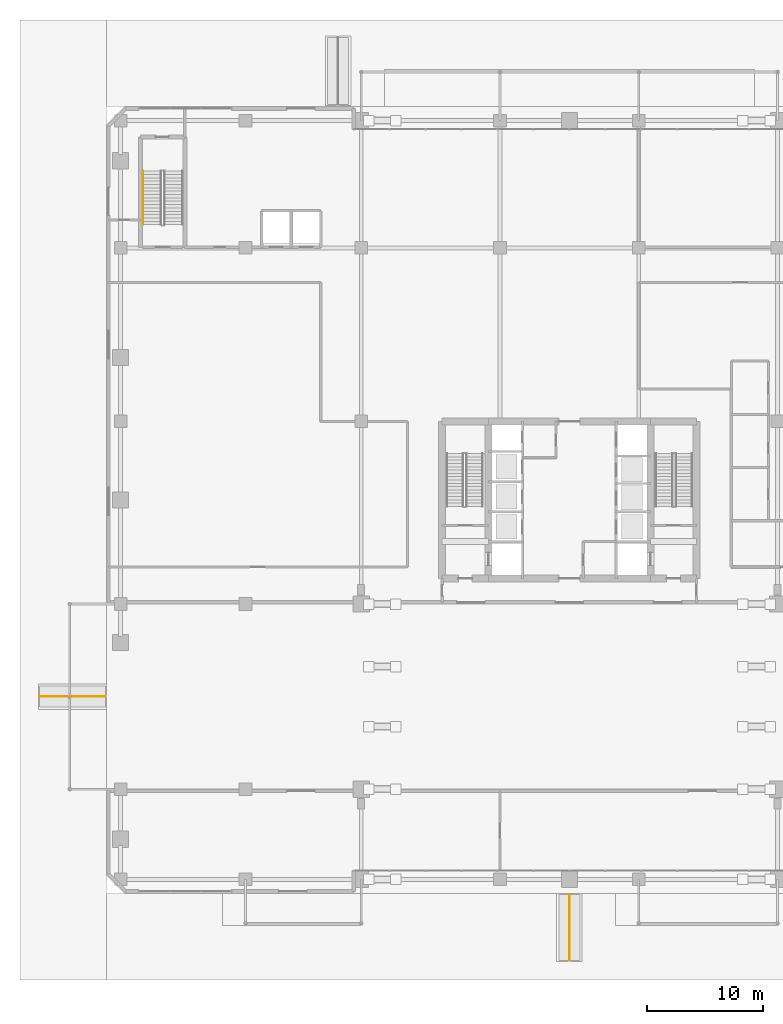
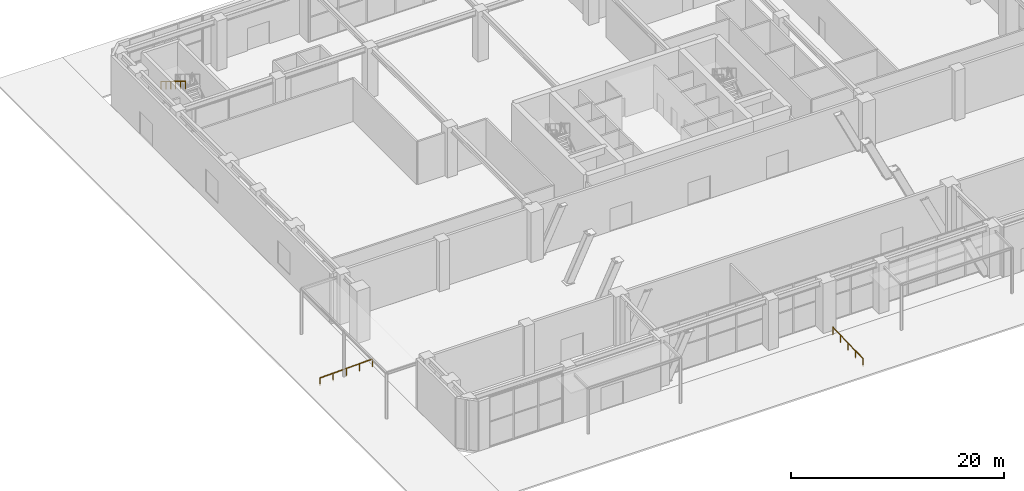
# One storey, part 42 of 49: 3 railings.
"""IFC4 building model written with IfcOpenShell, lengths in metres."""

from ifc_helpers import new_model, si_unit, direction, frame, origin, origin_2d, place, context, subcontext, project, spatial, rectangle, extrude, material, type_object, element, save


model = new_model("IFC4")

# Units and contexts
model_context = context("Model", 3, precision=1e-05, world=origin(), true_north=direction((0.0, 1.0)))
body_context = subcontext(model_context, "Body", "Model", "MODEL_VIEW")
ifc_project = project(units=[si_unit("LENGTHUNIT", "METRE"), si_unit("AREAUNIT", "SQUARE_METRE"), si_unit("VOLUMEUNIT", "CUBIC_METRE"), si_unit("PLANEANGLEUNIT", "RADIAN"), si_unit("MASSUNIT", "GRAM", prefix="KILO")], contexts=[model_context])

# Site, building, storey
site_placement = place(None, origin())
site = spatial("IfcSite", under=ifc_project, at=site_placement, CompositionType="ELEMENT")
building_placement = place(site_placement, origin())
building = spatial("IfcBuilding", under=site, at=building_placement, Name="Sarneth Arch Tower", CompositionType="ELEMENT")
storey_placement = place(building_placement, origin())
storey = spatial("IfcBuildingStorey", under=building, at=storey_placement, Name="L00", CompositionType="ELEMENT", Elevation=0.0)

# Railings
ifc_material = material(Name="Brushed Stainless Steel 304 tubular handrail", Category="steel")
railing_type = type_object("IfcRailingType", Name="RAIL-HANDRAIL-900", PredefinedType="HANDRAIL", material=ifc_material)
railing_1_placement = place(storey_placement, frame((11.14990234375, 70.43994140625, 3.176513671875)))
element("IfcRailing", 1, at=railing_1_placement, inside=storey, type_object=railing_type, Name="L00 ST-P1 stair handrail 2", PredefinedType="HANDRAIL", context=body_context, shape_type="SweptSolid", body=[
    extrude(rectangle(XDim=0.048095703125, YDim=0.048095703125, at=origin_2d()), frame((0.0, 0.0, 0.8759765625), z_axis=(0.0, -0.854263648073, 0.51983999421), x_axis=(1.0, 0.0, 0.0)), (0.0, 0.0, 1.0), 5.431396484375),
    extrude(rectangle(XDim=0.0419921875, YDim=0.0419921875, at=origin_2d()), origin(), (0.0, 0.0, 1.0), 0.851806640625),
    extrude(rectangle(XDim=0.0419921875, YDim=0.0419921875, at=origin_2d()), frame((0.0, -0.927978515625, 0.564697265625)), (0.0, 0.0, 1.0), 0.851806640625),
    extrude(rectangle(XDim=0.0419921875, YDim=0.0419921875, at=origin_2d()), frame((0.0, -1.85595703125, 1.12939453125)), (0.0, 0.0, 1.0), 0.851806640625),
    extrude(rectangle(XDim=0.0419921875, YDim=0.0419921875, at=origin_2d()), frame((0.0, -2.783935546875, 1.694091796875)), (0.0, 0.0, 1.0), 0.851806640625),
    extrude(rectangle(XDim=0.0419921875, YDim=0.0419921875, at=origin_2d()), frame((0.0, -3.7119140625, 2.2587890625)), (0.0, 0.0, 1.0), 0.851806640625),
    extrude(rectangle(XDim=0.0419921875, YDim=0.0419921875, at=origin_2d()), frame((0.0, -4.639892578125, 2.823486328125)), (0.0, 0.0, 1.0), 0.851806640625),
])
railing_2_placement = place(storey_placement, frame((2.199951171875, 25.0, -0.179931640625)))
element("IfcRailing", 2, at=railing_2_placement, inside=storey, type_object=railing_type, Name="Ramp handrail RMP-PLAZA-W", PredefinedType="HANDRAIL", context=body_context, shape_type="SweptSolid", body=[
    extrude(rectangle(XDim=0.048095703125, YDim=0.048095703125, at=origin_2d()), frame((0.0, 0.0, 0.8759765625), z_axis=(0.999502127219, 0.0, 0.031551508449), x_axis=(0.0, 1.0, 0.0)), (0.0, 0.0, 1.0), 5.702880859375),
    extrude(rectangle(XDim=0.0419921875, YDim=0.0419921875, at=origin_2d()), origin(), (0.0, 0.0, 1.0), 0.851806640625),
    extrude(rectangle(XDim=0.0419921875, YDim=0.0419921875, at=origin_2d()), frame((1.425048828125, 0.0, 0.044921875)), (0.0, 0.0, 1.0), 0.851806640625),
    extrude(rectangle(XDim=0.0419921875, YDim=0.0419921875, at=origin_2d()), frame((2.85009765625, 0.0, 0.08984375)), (0.0, 0.0, 1.0), 0.851806640625),
    extrude(rectangle(XDim=0.0419921875, YDim=0.0419921875, at=origin_2d()), frame((4.27490234375, 0.0, 0.135009765625)), (0.0, 0.0, 1.0), 0.851806640625),
    extrude(rectangle(XDim=0.0419921875, YDim=0.0419921875, at=origin_2d()), frame((5.699951171875, 0.0, 0.179931640625)), (0.0, 0.0, 1.0), 0.851806640625),
])
railing_3_placement = place(storey_placement, frame((48.0, 2.199951171875, -0.179931640625)))
element("IfcRailing", 3, at=railing_3_placement, inside=storey, type_object=railing_type, Name="Ramp handrail RMP-PLAZA-S", PredefinedType="HANDRAIL", context=body_context, shape_type="SweptSolid", body=[
    extrude(rectangle(XDim=0.048095703125, YDim=0.048095703125, at=origin_2d()), frame((0.0, 0.0, 0.8759765625), z_axis=(0.0, 0.999502127219, 0.031551508449), x_axis=(-1.0, 0.0, 0.0)), (0.0, 0.0, 1.0), 5.702880859375),
    extrude(rectangle(XDim=0.0419921875, YDim=0.0419921875, at=origin_2d()), origin(), (0.0, 0.0, 1.0), 0.851806640625),
    extrude(rectangle(XDim=0.0419921875, YDim=0.0419921875, at=origin_2d()), frame((0.0, 1.425048828125, 0.044921875)), (0.0, 0.0, 1.0), 0.851806640625),
    extrude(rectangle(XDim=0.0419921875, YDim=0.0419921875, at=origin_2d()), frame((0.0, 2.85009765625, 0.08984375)), (0.0, 0.0, 1.0), 0.851806640625),
    extrude(rectangle(XDim=0.0419921875, YDim=0.0419921875, at=origin_2d()), frame((0.0, 4.27490234375, 0.135009765625)), (0.0, 0.0, 1.0), 0.851806640625),
    extrude(rectangle(XDim=0.0419921875, YDim=0.0419921875, at=origin_2d()), frame((0.0, 5.699951171875, 0.179931640625)), (0.0, 0.0, 1.0), 0.851806640625),
])

save(model, "model.ifc")
